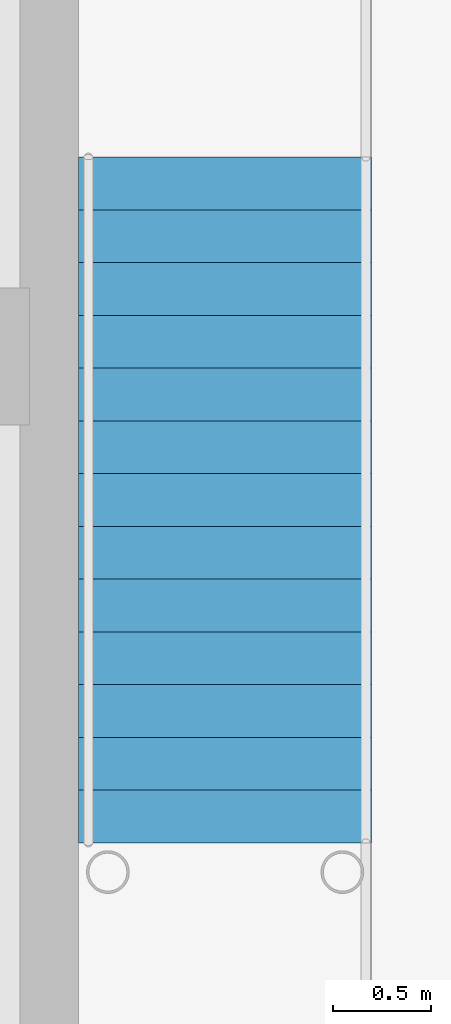
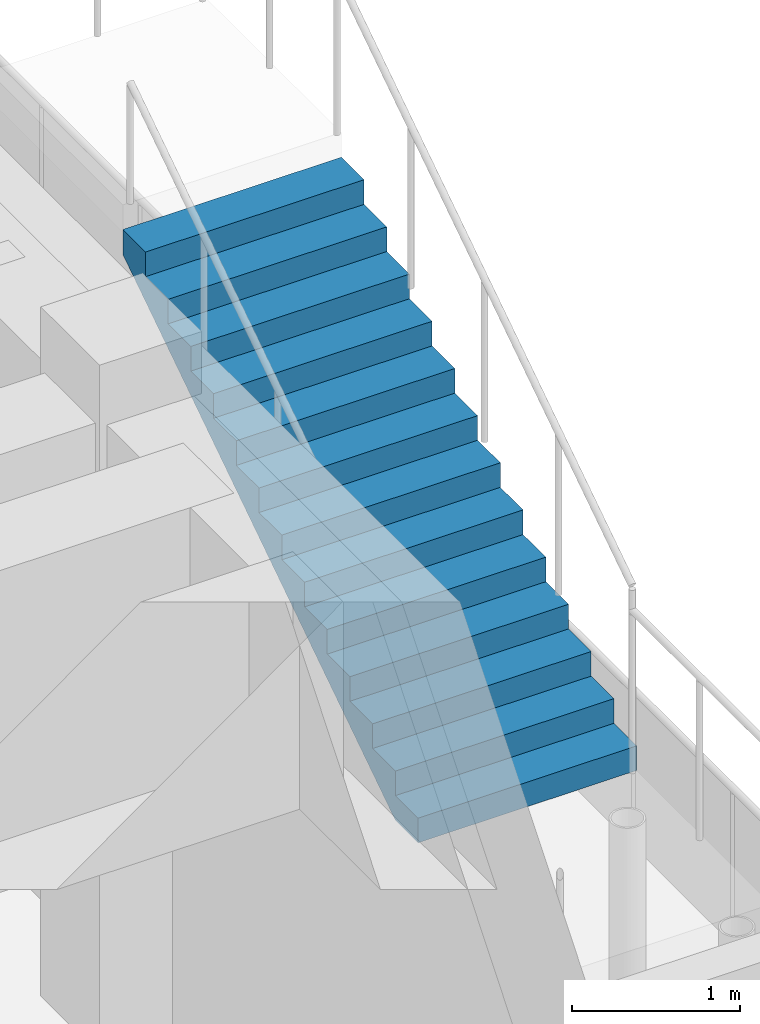
# One storey, part 16 of 22: 1 stair flight, 1 element without a shape of its own.
"""IFC4 building model written with IfcOpenShell, lengths in metres."""

from ifc_helpers import new_model, si_unit, direction, frame, origin, place, context, subcontext, project, spatial, polyline, outline, extrude, material, type_object, element, aggregate, save


model = new_model("IFC4")

# Units and contexts
model_context = context("Model", 3, precision=1e-05, world=origin(), true_north=direction((0.0, 1.0)))
body_context = subcontext(model_context, "Body", "Model", "MODEL_VIEW")
ifc_project = project(units=[si_unit("LENGTHUNIT", "METRE"), si_unit("AREAUNIT", "SQUARE_METRE"), si_unit("VOLUMEUNIT", "CUBIC_METRE"), si_unit("PLANEANGLEUNIT", "RADIAN"), si_unit("MASSUNIT", "GRAM", prefix="KILO")], contexts=[model_context])

# Site, building, storey
site_placement = place(None, origin())
site = spatial("IfcSite", under=ifc_project, at=site_placement, CompositionType="ELEMENT")
building_placement = place(site_placement, origin())
building = spatial("IfcBuilding", under=site, at=building_placement, Name="Peilmerk Tower", CompositionType="ELEMENT")
storey_placement = place(building_placement, frame((0.0, 0.0, 6.0)))
storey = spatial("IfcBuildingStorey", under=building, at=storey_placement, Name="L01", CompositionType="ELEMENT", Elevation=6.0)

# Stair, stair flight
ifc_material = material(Name="Precast concrete C45/55", Category="concrete")
stair_type = type_object("IfcStairType", Name="ST3 28 risers of 178.6, two straight flights", PredefinedType="TWO_STRAIGHT_RUN_STAIR", material=ifc_material)
stair_placement = place(storey_placement, origin())
stair = element("IfcStair", 1, at=stair_placement, inside=storey, type_object=stair_type, Name="External stair 3 L01 to L02", PredefinedType="TWO_STRAIGHT_RUN_STAIR")
stair_flight_type = type_object("IfcStairFlightType", Name="SF14 flight, 14 risers of 178.6", PredefinedType="STRAIGHT", material=ifc_material)
stair_flight_placement = place(storey_placement, frame((39.75, 9.510009765625, 2.5), z_axis=(0.0, 0.0, 1.0), x_axis=(0.0, 1.0, 0.0)))
stair_flight = element("IfcStairFlight", 2, at=stair_flight_placement, type_object=stair_flight_type, Name="ST3 flight 2", NumberOfRisers=14, NumberOfTreads=13, PredefinedType="STRAIGHT", RiserHeight=0.178571429, TreadLength=0.27, context=body_context, shape_type="SweptSolid", body=[
    extrude(outline(polyline([(0.0, 0.0), (0.0, 0.178466796875), (0.27001953125, 0.178466796875), (0.27001953125, 0.357177734375), (0.5400390625, 0.357177734375), (0.5400390625, 0.53564453125), (0.81005859375, 0.53564453125), (0.81005859375, 0.71435546875), (1.080078125, 0.71435546875), (1.080078125, 0.892822265625), (1.35009765625, 0.892822265625), (1.35009765625, 1.071533203125), (1.6201171875, 1.071533203125), (1.6201171875, 1.25), (1.889892578125, 1.25), (1.889892578125, 1.428466796875), (2.159912109375, 1.428466796875), (2.159912109375, 1.607177734375), (2.429931640625, 1.607177734375), (2.429931640625, 1.78564453125), (2.699951171875, 1.78564453125), (2.699951171875, 1.96435546875), (2.969970703125, 1.96435546875), (2.969970703125, 2.142822265625), (3.239990234375, 2.142822265625), (3.239990234375, 2.321533203125), (3.510009765625, 2.321533203125), (3.510009765625, 2.5), (3.510009765625, 2.1416015625), (0.271728515625, 0.0), (0.0, 0.0)])), frame((0.0, 0.75, 0.0), z_axis=(0.0, -1.0, 0.0), x_axis=(1.0, 0.0, 0.0)), (0.0, 0.0, 1.0), 1.5),
])
aggregate(stair, [stair_flight])

save(model, "model.ifc")
